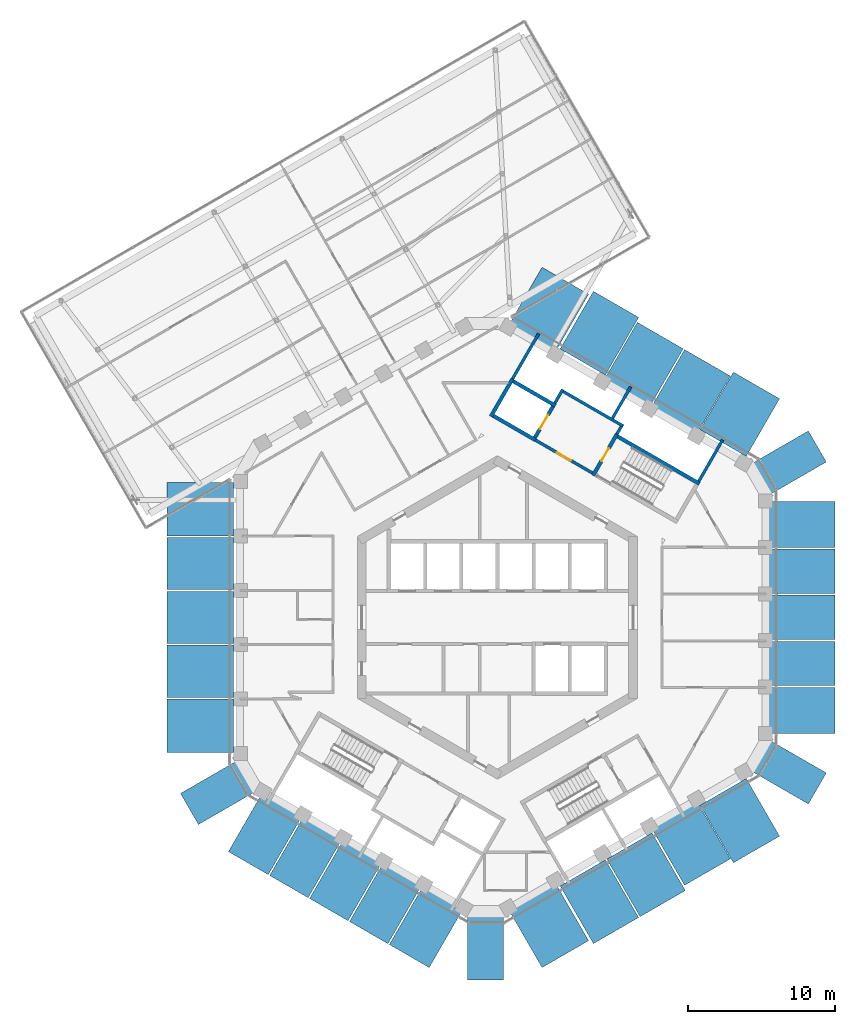
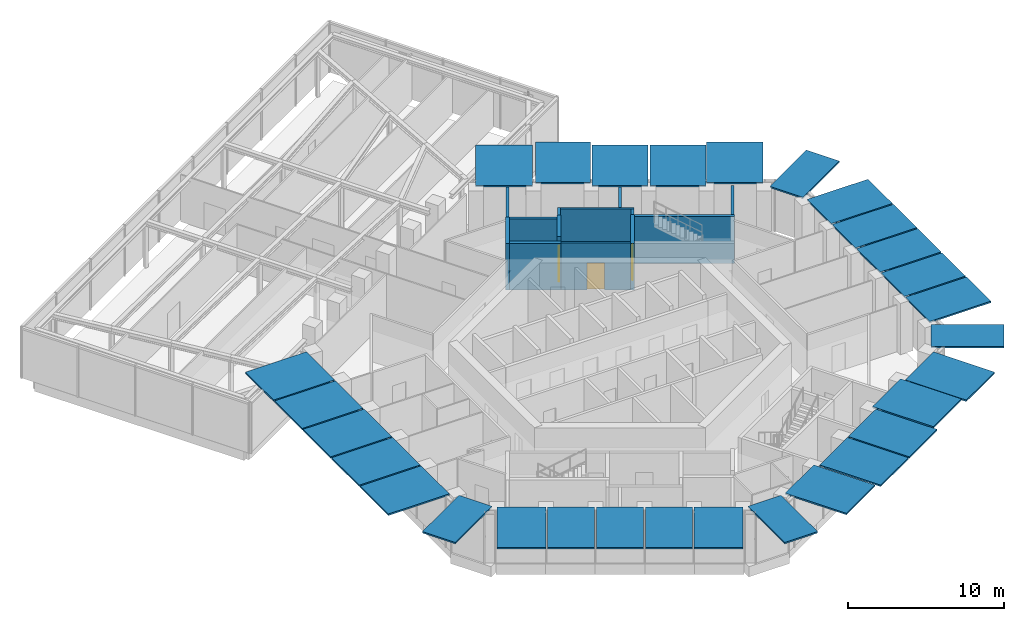
# One storey, part 22 of 27: 29 discrete accessories, 13 walls, 3 doors, 3 openings.
"""IFC4 building model written with IfcOpenShell, lengths in metres."""

from ifc_helpers import new_model, si_unit, direction, frame, frame_2d, origin, origin_2d, place, context, subcontext, project, spatial, rectangle, extrude, material, layer, layer_set, type_object, element, fill, save


model = new_model("IFC4")

# Units and contexts
model_context = context("Model", 3, precision=1e-05, world=origin(), true_north=direction((0.0, 1.0)))
body_context = subcontext(model_context, "Body", "Model", "MODEL_VIEW")
ifc_project = project(units=[si_unit("LENGTHUNIT", "METRE"), si_unit("AREAUNIT", "SQUARE_METRE"), si_unit("VOLUMEUNIT", "CUBIC_METRE"), si_unit("PLANEANGLEUNIT", "RADIAN"), si_unit("MASSUNIT", "GRAM", prefix="KILO")], contexts=[model_context])

# Site, building, storey
site_placement = place(None, origin())
site = spatial("IfcSite", under=ifc_project, at=site_placement, CompositionType="ELEMENT")
building_placement = place(site_placement, origin())
building = spatial("IfcBuilding", under=site, at=building_placement, Name="Ayvan Gate Tower", CompositionType="ELEMENT")
storey_placement = place(building_placement, frame((0.0, 0.0, 194.699951171875)))
storey = spatial("IfcBuildingStorey", under=building, at=storey_placement, Name="L52", CompositionType="ELEMENT", Elevation=194.699951171875)

# Walls
ifc_material_1 = material(Name="Plasterboard on steel stud", Category="steel")
ifc_layer_1 = layer(ifc_material_1, 0.199951171875)
ifc_layer_set_1 = layer_set([ifc_layer_1], Name="Plasterboard on steel stud")
wall_type_1 = type_object("IfcWallType", Name="WT-PLUMB-200", PredefinedType="PLUMBINGWALL", material=ifc_layer_set_1)
wall_1_placement = place(storey_placement, frame((1.027099609375, 16.178955078125, 0.0), z_axis=(0.0, 0.0, 1.0), x_axis=(0.499998282143, 0.866026395587, 0.0)))
element("IfcWall", 1, at=wall_1_placement, inside=storey, type_object=wall_type_1, Name="IW-L52-061", PredefinedType="PLUMBINGWALL", context=body_context, shape_type="SweptSolid", body=[
    extrude(rectangle(XDim=3.5244140625, YDim=0.199951171875, at=frame_2d((1.76220703125, 0.0))), origin(), (0.0, 0.0, 1.0), 3.650146484375),
])
wall_2_placement = place(storey_placement, frame((3.885009765625, 14.52880859375, 0.0), z_axis=(0.0, 0.0, 1.0), x_axis=(0.499997628298, 0.866026773083, 0.0)))
element("IfcWall", 2, at=wall_2_placement, inside=storey, type_object=wall_type_1, Name="IW-L52-074", PredefinedType="PLUMBINGWALL", context=body_context, shape_type="SweptSolid", body=[
    extrude(rectangle(XDim=1.0751953125, YDim=0.199951171875, at=frame_2d((0.53759765625, 0.0))), origin(), (0.0, 0.0, 1.0), 3.650146484375),
])
wall_3_placement = place(storey_placement, frame((4.458984375, 15.323486328125, 0.0), z_axis=(0.0, 0.0, 1.0), x_axis=(0.866016039709, -0.500016218704, 0.0)))
element("IfcWall", 3, at=wall_3_placement, inside=storey, type_object=wall_type_1, Name="IW-L52-075", PredefinedType="PLUMBINGWALL", context=body_context, shape_type="SweptSolid", body=[
    extrude(rectangle(XDim=4.699951171875, YDim=0.199951171875, at=frame_2d((2.35009765625, 0.0))), origin(), (0.0, 0.0, 1.0), 3.650146484375),
])
wall_4_placement = place(storey_placement, frame((7.800048828125, 13.510009765625, 0.0), z_axis=(0.0, 0.0, 1.0), x_axis=(0.499955409341, 0.866051146683, 0.0)))
element("IfcWall", 4, at=wall_4_placement, inside=storey, type_object=wall_type_1, Name="IW-L52-089", PredefinedType="PLUMBINGWALL", context=body_context, shape_type="SweptSolid", body=[
    extrude(rectangle(XDim=2.449462890625, YDim=0.199951171875, at=frame_2d((1.224609375, 0.0))), origin(), (0.0, 0.0, 1.0), 3.650146484375),
])
wall_5_placement = place(storey_placement, frame((8.392822265625, 12.936767578125, 0.0), z_axis=(0.0, 0.0, 1.0), x_axis=(-0.500065409566, -0.86598763626, 0.0)))
element("IfcWall", 5, at=wall_5_placement, inside=storey, type_object=wall_type_1, Name="IW-L52-091", PredefinedType="PLUMBINGWALL", context=body_context, shape_type="SweptSolid", body=[
    extrude(rectangle(XDim=0.5751953125, YDim=0.199951171875, at=frame_2d((0.28759765625, 0.0))), origin(), (0.0, 0.0, 1.0), 3.650146484375),
])
wall_6_placement = place(storey_placement, frame((15.260009765625, 12.03125, 0.0), z_axis=(0.0, 0.0, 1.0), x_axis=(-0.499958409347, -0.866049414828, 0.0)))
element("IfcWall", 6, at=wall_6_placement, inside=storey, type_object=wall_type_1, Name="IW-L52-103", PredefinedType="PLUMBINGWALL", context=body_context, shape_type="SweptSolid", body=[
    extrude(rectangle(XDim=3.224365234375, YDim=0.199951171875, at=frame_2d((1.6123046875, 0.0))), origin(), (0.0, 0.0, 1.0), 3.650146484375),
])

# Wall, opening, door
ifc_layer_2 = layer(ifc_material_1, 0.199951171875)
ifc_layer_set_2 = layer_set([ifc_layer_2], Name="Plasterboard on steel stud")
wall_type_2 = type_object("IfcWallType", Name="WT-RATED-200", PredefinedType="PARTITIONING", material=ifc_layer_set_2)
wall_7_placement = place(storey_placement, frame((6.4345703125, 9.794921875, 0.0), z_axis=(0.0, 0.0, 1.0), x_axis=(-0.866012907634, 0.500021643343, 0.0)))
wall_7 = element("IfcWall", 7, at=wall_7_placement, inside=storey, type_object=wall_type_2, Name="IW-L52-080", PredefinedType="PARTITIONING", context=body_context, shape_type="SweptSolid", body=[
    extrude(rectangle(XDim=4.449951171875, YDim=0.199951171875, at=frame_2d((2.22509765625, 0.0))), origin(), (0.0, 0.0, 1.0), 3.650146484375),
])
opening_1_placement = place(wall_7_placement, frame((1.675048828125, 0.0, 0.0)))
opening_1 = element("IfcOpeningElement", 8, at=opening_1_placement, cuts=wall_7, Name="Opening L52-D13", PredefinedType="OPENING", context=body_context, shape_type="SweptSolid", body=[
    extrude(rectangle(XDim=1.10009765625, YDim=2.10009765625, at=frame_2d((0.550048828125, 1.050048828125))), frame((0.0, 0.10986328125, 0.0), z_axis=(0.0, -1.0, 0.0), x_axis=(1.0, 0.0, 0.0)), (0.0, 0.0, 1.0), 0.219970703125),
])
ifc_material_2 = material(Name="Timber door leaf", Category="wood")
door_type_1 = type_object("IfcDoorType", Name="DT-1100", OperationType="NOTDEFINED", PredefinedType="DOOR", material=ifc_material_2)
door_1_placement = place(opening_1_placement, origin())
door_1 = element("IfcDoor", 9, at=door_1_placement, inside=storey, type_object=door_type_1, Name="ID-L52-013", OperationType="SINGLE_SWING_LEFT", OverallHeight=2.10009765625, OverallWidth=1.10009765625, PredefinedType="DOOR", context=body_context, shape_type="SweptSolid", body=[
    extrude(rectangle(XDim=1.10009765625, YDim=2.10009765625, at=frame_2d((0.550048828125, 1.050048828125))), frame((0.0, 0.02490234375, 0.0), z_axis=(0.0, -1.0, 0.0), x_axis=(1.0, 0.0, 0.0)), (0.0, 0.0, 1.0), 0.050048828125),
])
fill(opening_1, door_1)

# Walls
ifc_material_3 = material(Name="Concrete C50/60", Category="concrete")
ifc_layer_3 = layer(ifc_material_3, 0.25)
ifc_layer_set_3 = layer_set([ifc_layer_3], Name="Concrete C50/60")
wall_type_3 = type_object("IfcWallType", Name="WT-RC-250", PredefinedType="SHEAR", material=ifc_layer_set_3)
wall_8_placement = place(storey_placement, frame((-0.447998046875, 13.624267578125, 0.0), z_axis=(0.0, 0.0, 1.0), x_axis=(0.500037662692, 0.866003658127, 0.0)))
element("IfcWall", 10, at=wall_8_placement, inside=storey, type_object=wall_type_3, Name="IW-L52-057", PredefinedType="SHEAR", context=body_context, shape_type="SweptSolid", body=[
    extrude(rectangle(XDim=2.949951171875, YDim=0.25, at=frame_2d((1.47509765625, 0.0))), origin(), (0.0, 0.0, 1.0), 3.650146484375),
])
for number, where, z_axis, x_axis, name in (
    (11, (1.072998046875, 16.00830078125, 0.0), (0.0, 0.0, 1.0), (0.866040211805, -0.499974350878, 0.0), "IW-L52-062"),
    (12, (2.580810546875, 12.02001953125, 0.0), (0.0, 0.0, 1.0), (-0.866040211805, 0.499974350878, 0.0), "IW-L52-069"),
):
    element("IfcWall", number, at=place(storey_placement, frame(where, z_axis=z_axis, x_axis=x_axis)), inside=storey, type_object=wall_type_3, Name=name, PredefinedType="SHEAR", context=body_context, shape_type="SweptSolid", body=[
        extrude(rectangle(XDim=3.300048828125, YDim=0.25, at=frame_2d((1.64990234375, 0.0))), origin(), (0.0, 0.0, 1.0), 3.650146484375),
    ])

# Wall, opening, door
wall_9_placement = place(storey_placement, frame((2.534912109375, 12.19091796875, 0.0), z_axis=(0.0, 0.0, 1.0), x_axis=(0.500061746146, 0.865989751695, 0.0)))
wall_9 = element("IfcWall", 13, at=wall_9_placement, inside=storey, type_object=wall_type_3, Name="IW-L52-070", PredefinedType="SHEAR", context=body_context, shape_type="SweptSolid", body=[
    extrude(rectangle(XDim=2.449951171875, YDim=0.25, at=frame_2d((1.22509765625, 0.0))), origin(), (0.0, 0.0, 1.0), 4.0),
])
opening_2_placement = place(wall_9_placement, frame((0.675048828125, 0.0, 0.0)))
opening_2 = element("IfcOpeningElement", 14, at=opening_2_placement, cuts=wall_9, Name="Opening L52-LD-FF1", PredefinedType="OPENING", context=body_context, shape_type="SweptSolid", body=[
    extrude(rectangle(XDim=1.10009765625, YDim=2.10009765625, at=frame_2d((0.550048828125, 1.050048828125))), frame((0.0, 0.135009765625, 0.0), z_axis=(0.0, -1.0, 0.0), x_axis=(1.0, 0.0, 0.0)), (0.0, 0.0, 1.0), 0.27001953125),
])
ifc_material_4 = material(Name="Stainless steel landing door", Category="steel")
door_type_2 = type_object("IfcDoorType", Name="DT-LANDING-1100", OperationType="SLIDING_TO_LEFT", PredefinedType="DOOR", material=ifc_material_4)
door_2_placement = place(opening_2_placement, origin())
door_2 = element("IfcDoor", 15, at=door_2_placement, inside=storey, type_object=door_type_2, Name="ID-L52-014", OperationType="SLIDING_TO_LEFT", OverallHeight=2.10009765625, OverallWidth=1.10009765625, PredefinedType="DOOR", context=body_context, shape_type="SweptSolid", body=[
    extrude(rectangle(XDim=1.10009765625, YDim=2.10009765625, at=frame_2d((0.550048828125, 1.050048828125))), frame((0.0, 0.02490234375, 0.0), z_axis=(0.0, -1.0, 0.0), x_axis=(1.0, 0.0, 0.0)), (0.0, 0.0, 1.0), 0.050048828125),
])
fill(opening_2, door_2)

wall_10_placement = place(storey_placement, frame((6.480224609375, 9.624267578125, 0.0), z_axis=(0.0, 0.0, 1.0), x_axis=(0.500017246033, 0.866015446554, 0.0)))
wall_10 = element("IfcWall", 16, at=wall_10_placement, inside=storey, type_object=wall_type_3, Name="IW-L52-081", PredefinedType="SHEAR", context=body_context, shape_type="SweptSolid", body=[
    extrude(rectangle(XDim=3.25, YDim=0.25, at=frame_2d((1.625, 0.0))), origin(), (0.0, 0.0, 1.0), 3.650146484375),
])
opening_3_placement = place(wall_10_placement, frame((1.125, 0.0, 0.0)))
opening_3 = element("IfcOpeningElement", 17, at=opening_3_placement, cuts=wall_10, Name="Opening L52-D12", PredefinedType="OPENING", context=body_context, shape_type="SweptSolid", body=[
    extrude(rectangle(XDim=1.0, YDim=2.10009765625, at=frame_2d((0.5, 1.050048828125))), frame((0.0, 0.135009765625, 0.0), z_axis=(0.0, -1.0, 0.0), x_axis=(1.0, 0.0, 0.0)), (0.0, 0.0, 1.0), 0.27001953125),
])
door_type_3 = type_object("IfcDoorType", Name="DT-1000", OperationType="NOTDEFINED", PredefinedType="DOOR", material=ifc_material_2)
door_3_placement = place(opening_3_placement, origin())
door_3 = element("IfcDoor", 18, at=door_3_placement, inside=storey, type_object=door_type_3, Name="ID-L52-012", OperationType="SINGLE_SWING_RIGHT", OverallHeight=2.10009765625, OverallWidth=1.0, PredefinedType="DOOR", context=body_context, shape_type="SweptSolid", body=[
    extrude(rectangle(XDim=1.0, YDim=2.10009765625, at=frame_2d((0.5, 1.050048828125))), frame((0.0, 0.02490234375, 0.0), z_axis=(0.0, -1.0, 0.0), x_axis=(1.0, 0.0, 0.0)), (0.0, 0.0, 1.0), 0.050048828125),
])
fill(opening_3, door_3)

# Wall
wall_11_placement = place(storey_placement, frame((8.151123046875, 12.26806640625, 0.0), z_axis=(0.0, 0.0, 1.0), x_axis=(0.866025499775, -0.499999833739, 0.0)))
element("IfcWall", 19, at=wall_11_placement, inside=storey, type_object=wall_type_3, Name="IW-L52-090", PredefinedType="SHEAR", context=body_context, shape_type="SweptSolid", body=[
    extrude(rectangle(XDim=6.39990234375, YDim=0.25, at=frame_2d((3.199951171875, 0.0))), origin(), (0.0, 0.0, 1.0), 3.650146484375),
])

# Discrete accessories
ifc_material_5 = material(Name="Stainless steel 316", Category="steel")
ifc_layer_4 = layer(ifc_material_5, 0.1201171875)
ifc_layer_set_4 = layer_set([ifc_layer_4], Name="Stainless steel 316")
discrete_accessory_type = type_object("IfcDiscreteAccessoryType", Name="Fin carrier bracket", PredefinedType="BRACKET", material=ifc_layer_set_4)
discrete_accessory_1_placement = place(storey_placement, frame((-20.148681640625, -7.340576171875, 3.8798828125), z_axis=(0.0, 0.0, 1.0), x_axis=(0.0, -1.0, 0.0)))
element("IfcDiscreteAccessory", 20, at=discrete_accessory_1_placement, inside=storey, type_object=discrete_accessory_type, Name="Fin carrier 102", PredefinedType="BRACKET", context=body_context, shape_type="SweptSolid", body=[
    extrude(rectangle(XDim=3.614501953125, YDim=4.511474609375, at=origin_2d()), origin(), (0.0, 0.0, 1.0), 0.1201171875),
])
for number, where, z_axis, x_axis, name in (
    (21, (-20.148681640625, -3.65234375, 3.8798828125), (0.0, 0.0, 1.0), (0.0, -1.0, 0.0), "Fin carrier 108"),
    (22, (-20.148681640625, -0.000244140625, 3.8798828125), (0.0, 0.0, 1.0), (0.0, -1.0, 0.0), "Fin carrier 112"),
):
    element("IfcDiscreteAccessory", number, at=place(storey_placement, frame(where, z_axis=z_axis, x_axis=x_axis)), inside=storey, type_object=discrete_accessory_type, Name=name, PredefinedType="BRACKET", context=body_context, shape_type="SweptSolid", body=[
        extrude(rectangle(XDim=3.5419921875, YDim=4.511474609375, at=origin_2d()), origin(), (0.0, 0.0, 1.0), 0.1201171875),
    ])
discrete_accessory_2_placement = place(storey_placement, frame((-20.148681640625, 3.65234375, 3.8798828125), z_axis=(0.0, 0.0, 1.0), x_axis=(0.0, -1.0, 0.0)))
element("IfcDiscreteAccessory", 23, at=discrete_accessory_2_placement, inside=storey, type_object=discrete_accessory_type, Name="Fin carrier 116", PredefinedType="BRACKET", context=body_context, shape_type="SweptSolid", body=[
    extrude(rectangle(XDim=3.54296875, YDim=4.511474609375, at=origin_2d()), origin(), (0.0, 0.0, 1.0), 0.1201171875),
])
discrete_accessory_3_placement = place(storey_placement, frame((-20.148681640625, 7.3408203125, 3.8798828125), z_axis=(0.0, 0.0, 1.0), x_axis=(0.0, -1.0, 0.0)))
element("IfcDiscreteAccessory", 24, at=discrete_accessory_3_placement, inside=storey, type_object=discrete_accessory_type, Name="Fin carrier 120", PredefinedType="BRACKET", context=body_context, shape_type="SweptSolid", body=[
    extrude(rectangle(XDim=3.614013671875, YDim=4.511474609375, at=origin_2d()), origin(), (0.0, 0.0, 1.0), 0.1201171875),
])
discrete_accessory_4_placement = place(storey_placement, frame((-18.859130859375, -11.8154296875, 3.8798828125), z_axis=(0.0, 0.0, 1.0), x_axis=(0.5, -0.866025403784, 0.0)))
element("IfcDiscreteAccessory", 25, at=discrete_accessory_4_placement, inside=storey, type_object=discrete_accessory_type, Name="Fin carrier 138", PredefinedType="BRACKET", context=body_context, shape_type="SweptSolid", body=[
    extrude(rectangle(XDim=2.4345703125, YDim=4.68017578125, at=origin_2d()), origin(), (0.0, 0.0, 1.0), 0.1201171875),
])
discrete_accessory_5_placement = place(storey_placement, frame((-15.7646484375, -14.705078125, 3.8798828125), z_axis=(0.0, 0.0, 1.0), x_axis=(0.866025403784, -0.5, 0.0)))
element("IfcDiscreteAccessory", 26, at=discrete_accessory_5_placement, inside=storey, type_object=discrete_accessory_type, Name="Fin carrier 225", PredefinedType="BRACKET", context=body_context, shape_type="SweptSolid", body=[
    extrude(rectangle(XDim=3.123046875, YDim=4.511474609375, at=origin_2d()), origin(), (0.0, 0.0, 1.0), 0.1201171875),
])
discrete_accessory_6_placement = place(storey_placement, frame((-13.0126953125, -16.2939453125, 3.8798828125), z_axis=(0.0, 0.0, 1.0), x_axis=(0.866025403784, -0.5, 0.0)))
element("IfcDiscreteAccessory", 27, at=discrete_accessory_6_placement, inside=storey, type_object=discrete_accessory_type, Name="Fin carrier 290", PredefinedType="BRACKET", context=body_context, shape_type="SweptSolid", body=[
    extrude(rectangle(XDim=3.011962890625, YDim=4.511474609375, at=origin_2d()), origin(), (0.0, 0.0, 1.0), 0.1201171875),
])
discrete_accessory_7_placement = place(storey_placement, frame((-10.30859375, -17.85498046875, 3.8798828125), z_axis=(0.0, 0.0, 1.0), x_axis=(0.866025403784, -0.5, 0.0)))
element("IfcDiscreteAccessory", 28, at=discrete_accessory_7_placement, inside=storey, type_object=discrete_accessory_type, Name="Fin carrier 349", PredefinedType="BRACKET", context=body_context, shape_type="SweptSolid", body=[
    extrude(rectangle(XDim=3.012939453125, YDim=4.511474609375, at=origin_2d()), origin(), (0.0, 0.0, 1.0), 0.1201171875),
])
discrete_accessory_8_placement = place(storey_placement, frame((-7.6044921875, -19.416259765625, 3.8798828125), z_axis=(0.0, 0.0, 1.0), x_axis=(0.866025403784, -0.5, 0.0)))
element("IfcDiscreteAccessory", 29, at=discrete_accessory_8_placement, inside=storey, type_object=discrete_accessory_type, Name="Fin carrier 413", PredefinedType="BRACKET", context=body_context, shape_type="SweptSolid", body=[
    extrude(rectangle(XDim=3.011962890625, YDim=4.511474609375, at=origin_2d()), origin(), (0.0, 0.0, 1.0), 0.1201171875),
])
discrete_accessory_9_placement = place(storey_placement, frame((-4.852783203125, -21.005126953125, 3.8798828125), z_axis=(0.0, 0.0, 1.0), x_axis=(0.866025403784, -0.5, 0.0)))
element("IfcDiscreteAccessory", 30, at=discrete_accessory_9_placement, inside=storey, type_object=discrete_accessory_type, Name="Fin carrier 451", PredefinedType="BRACKET", context=body_context, shape_type="SweptSolid", body=[
    extrude(rectangle(XDim=3.123046875, YDim=4.511474609375, at=origin_2d()), origin(), (0.0, 0.0, 1.0), 0.1201171875),
])
discrete_accessory_10_placement = place(storey_placement, frame((-0.802978515625, -22.239990234375, 3.8798828125), z_axis=(0.0, 0.0, 1.0), x_axis=(1.0, 0.0, 0.0)))
element("IfcDiscreteAccessory", 31, at=discrete_accessory_10_placement, inside=storey, type_object=discrete_accessory_type, Name="Fin carrier 504", PredefinedType="BRACKET", context=body_context, shape_type="SweptSolid", body=[
    extrude(rectangle(XDim=2.4345703125, YDim=4.68017578125, at=origin_2d()), origin(), (0.0, 0.0, 1.0), 0.1201171875),
])
discrete_accessory_11_placement = place(storey_placement, frame((3.47412109375, -20.873779296875, 3.8798828125), z_axis=(0.0, 0.0, 1.0), x_axis=(0.866025403784, 0.5, 0.0)))
element("IfcDiscreteAccessory", 32, at=discrete_accessory_11_placement, inside=storey, type_object=discrete_accessory_type, Name="Fin carrier 562", PredefinedType="BRACKET", context=body_context, shape_type="SweptSolid", body=[
    extrude(rectangle(XDim=3.64794921875, YDim=4.511474609375, at=origin_2d()), origin(), (0.0, 0.0, 1.0), 0.1201171875),
])
discrete_accessory_12_placement = place(storey_placement, frame((3.474365234375, 20.873779296875, 3.8798828125), z_axis=(0.0, 0.0, 1.0), x_axis=(-0.866025403784, 0.5, 0.0)))
element("IfcDiscreteAccessory", 33, at=discrete_accessory_12_placement, inside=storey, type_object=discrete_accessory_type, Name="Fin carrier 566", PredefinedType="BRACKET", context=body_context, shape_type="SweptSolid", body=[
    extrude(rectangle(XDim=3.6484375, YDim=4.511474609375, at=origin_2d()), origin(), (0.0, 0.0, 1.0), 0.1201171875),
])
discrete_accessory_13_placement = place(storey_placement, frame((6.911376953125, -19.275390625, 3.8798828125), z_axis=(0.0, 0.0, 1.0), x_axis=(0.866025403784, 0.5, 0.0)))
element("IfcDiscreteAccessory", 34, at=discrete_accessory_13_placement, inside=storey, type_object=discrete_accessory_type, Name="Fin carrier 627", PredefinedType="BRACKET", context=body_context, shape_type="SweptSolid", body=[
    extrude(rectangle(XDim=3.54296875, YDim=4.511474609375, at=origin_2d()), origin(), (0.0, 0.0, 1.0), 0.1201171875),
])
for number, where, z_axis, x_axis, name in (
    (35, (6.911376953125, 19.275390625, 3.8798828125), (0.0, 0.0, 1.0), (-0.866025403784, 0.5, 0.0), "Fin carrier 635"),
    (36, (10.07470703125, -17.44921875, 3.8798828125), (0.0, 0.0, 1.0), (0.866025403784, 0.5, 0.0), "Fin carrier 685"),
):
    element("IfcDiscreteAccessory", number, at=place(storey_placement, frame(where, z_axis=z_axis, x_axis=x_axis)), inside=storey, type_object=discrete_accessory_type, Name=name, PredefinedType="BRACKET", context=body_context, shape_type="SweptSolid", body=[
        extrude(rectangle(XDim=3.5419921875, YDim=4.511474609375, at=origin_2d()), origin(), (0.0, 0.0, 1.0), 0.1201171875),
    ])
discrete_accessory_14_placement = place(storey_placement, frame((9.907470703125, 17.15966796875, 3.8798828125), z_axis=(0.0, 0.0, 1.0), x_axis=(-0.866025403784, 0.5, 0.0)))
element("IfcDiscreteAccessory", 37, at=discrete_accessory_14_placement, inside=storey, type_object=discrete_accessory_type, Name="Fin carrier 688", PredefinedType="BRACKET", context=body_context, shape_type="SweptSolid", body=[
    extrude(rectangle(XDim=3.590087890625, YDim=4.511474609375, at=origin_2d()), origin(), (0.0, 0.0, 1.0), 0.1201171875),
])
for number, where, z_axis, x_axis, name in (
    (38, (13.11083984375, -15.31005859375, 3.8798828125), (0.0, 0.0, 1.0), (0.866025403784, 0.5, 0.0), "Fin carrier 731"),
    (39, (13.111328125, 15.309814453125, 3.8798828125), (0.0, 0.0, 1.0), (-0.866025403784, 0.5, 0.0), "Fin carrier 746"),
):
    element("IfcDiscreteAccessory", number, at=place(storey_placement, frame(where, z_axis=z_axis, x_axis=x_axis)), inside=storey, type_object=discrete_accessory_type, Name=name, PredefinedType="BRACKET", context=body_context, shape_type="SweptSolid", body=[
        extrude(rectangle(XDim=3.589111328125, YDim=4.511474609375, at=origin_2d()), origin(), (0.0, 0.0, 1.0), 0.1201171875),
    ])
discrete_accessory_15_placement = place(storey_placement, frame((16.431396484375, -13.779052734375, 3.8798828125), z_axis=(0.0, 0.0, 1.0), x_axis=(0.866025403784, 0.5, 0.0)))
element("IfcDiscreteAccessory", 40, at=discrete_accessory_15_placement, inside=storey, type_object=discrete_accessory_type, Name="Fin carrier 795", PredefinedType="BRACKET", context=body_context, shape_type="SweptSolid", body=[
    extrude(rectangle(XDim=3.614501953125, YDim=4.511474609375, at=origin_2d()), origin(), (0.0, 0.0, 1.0), 0.1201171875),
])
discrete_accessory_16_placement = place(storey_placement, frame((16.431640625, 13.779052734375, 3.8798828125), z_axis=(0.0, 0.0, 1.0), x_axis=(-0.866025403784, 0.5, 0.0)))
element("IfcDiscreteAccessory", 41, at=discrete_accessory_16_placement, inside=storey, type_object=discrete_accessory_type, Name="Fin carrier 812", PredefinedType="BRACKET", context=body_context, shape_type="SweptSolid", body=[
    extrude(rectangle(XDim=3.614013671875, YDim=4.511474609375, at=origin_2d()), origin(), (0.0, 0.0, 1.0), 0.1201171875),
])
for number, where, z_axis, x_axis, name in (
    (42, (19.661865234375, -10.4248046875, 3.8798828125), (0.0, 0.0, 1.0), (0.5, 0.866025403784, 0.0), "Fin carrier 897"),
    (43, (19.661865234375, 10.4248046875, 3.8798828125), (0.0, 0.0, 1.0), (-0.5, 0.866025403784, 0.0), "Fin carrier 901"),
):
    element("IfcDiscreteAccessory", number, at=place(storey_placement, frame(where, z_axis=z_axis, x_axis=x_axis)), inside=storey, type_object=discrete_accessory_type, Name=name, PredefinedType="BRACKET", context=body_context, shape_type="SweptSolid", body=[
        extrude(rectangle(XDim=2.4345703125, YDim=4.68017578125, at=origin_2d()), origin(), (0.0, 0.0, 1.0), 0.1201171875),
    ])
discrete_accessory_17_placement = place(storey_placement, frame((20.6171875, -6.300048828125, 3.8798828125), z_axis=(0.0, 0.0, 1.0), x_axis=(0.0, 1.0, 0.0)))
element("IfcDiscreteAccessory", 44, at=discrete_accessory_17_placement, inside=storey, type_object=discrete_accessory_type, Name="Fin carrier 918", PredefinedType="BRACKET", context=body_context, shape_type="SweptSolid", body=[
    extrude(rectangle(XDim=3.123046875, YDim=4.511474609375, at=origin_2d()), origin(), (0.0, 0.0, 1.0), 0.1201171875),
])
discrete_accessory_18_placement = place(storey_placement, frame((20.6171875, -3.12255859375, 3.8798828125), z_axis=(0.0, 0.0, 1.0), x_axis=(0.0, 1.0, 0.0)))
element("IfcDiscreteAccessory", 45, at=discrete_accessory_18_placement, inside=storey, type_object=discrete_accessory_type, Name="Fin carrier 925", PredefinedType="BRACKET", context=body_context, shape_type="SweptSolid", body=[
    extrude(rectangle(XDim=3.011962890625, YDim=4.511474609375, at=origin_2d()), origin(), (0.0, 0.0, 1.0), 0.1201171875),
])
discrete_accessory_19_placement = place(storey_placement, frame((20.6171875, 0.0, 3.8798828125), z_axis=(0.0, 0.0, 1.0), x_axis=(0.0, 1.0, 0.0)))
element("IfcDiscreteAccessory", 46, at=discrete_accessory_19_placement, inside=storey, type_object=discrete_accessory_type, Name="Fin carrier 932", PredefinedType="BRACKET", context=body_context, shape_type="SweptSolid", body=[
    extrude(rectangle(XDim=3.012939453125, YDim=4.511474609375, at=origin_2d()), origin(), (0.0, 0.0, 1.0), 0.1201171875),
])
discrete_accessory_20_placement = place(storey_placement, frame((20.6171875, 3.12255859375, 3.8798828125), z_axis=(0.0, 0.0, 1.0), x_axis=(0.0, 1.0, 0.0)))
element("IfcDiscreteAccessory", 47, at=discrete_accessory_20_placement, inside=storey, type_object=discrete_accessory_type, Name="Fin carrier 936", PredefinedType="BRACKET", context=body_context, shape_type="SweptSolid", body=[
    extrude(rectangle(XDim=3.011962890625, YDim=4.511474609375, at=origin_2d()), origin(), (0.0, 0.0, 1.0), 0.1201171875),
])
discrete_accessory_21_placement = place(storey_placement, frame((20.6171875, 6.300048828125, 3.8798828125), z_axis=(0.0, 0.0, 1.0), x_axis=(0.0, 1.0, 0.0)))
element("IfcDiscreteAccessory", 48, at=discrete_accessory_21_placement, inside=storey, type_object=discrete_accessory_type, Name="Fin carrier 945", PredefinedType="BRACKET", context=body_context, shape_type="SweptSolid", body=[
    extrude(rectangle(XDim=3.123046875, YDim=4.511474609375, at=origin_2d()), origin(), (0.0, 0.0, 1.0), 0.1201171875),
])

save(model, "model.ifc")
